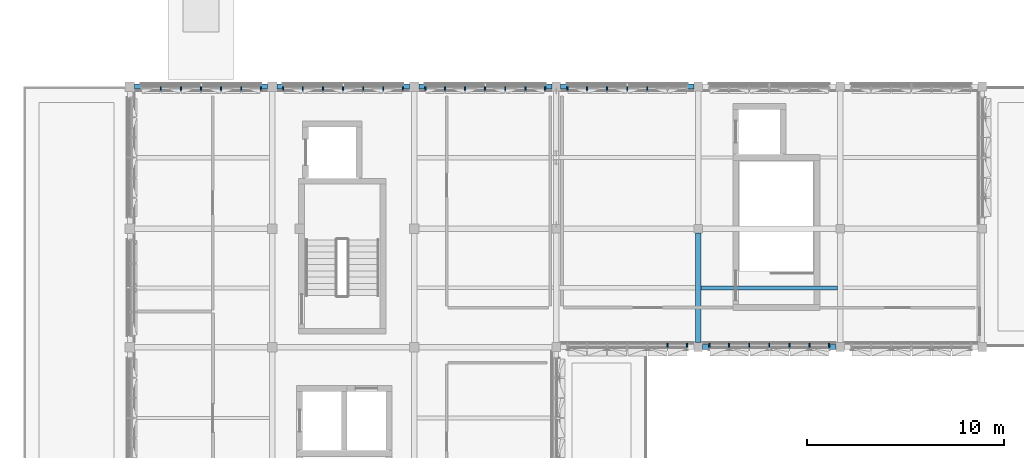
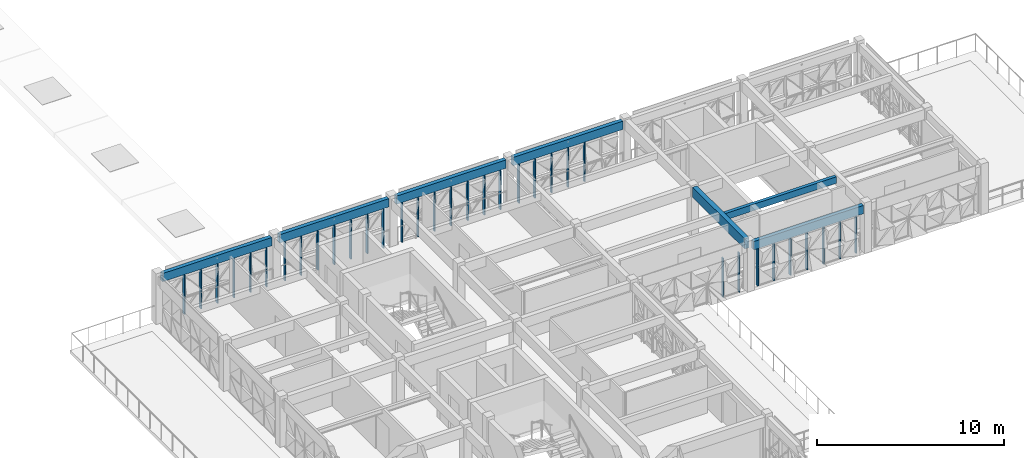
# One storey, part 5 of 35: 34 members, 7 beams, 6 elements without a shape of their own.
"""IFC4 building model written with IfcOpenShell, lengths in metres."""

from ifc_helpers import new_model, si_unit, direction, frame, origin, origin_2d, place, context, subcontext, project, spatial, rectangle, extrude, material, material_profile, profile_set, type_object, element, aggregate, save


model = new_model("IFC4")

# Units and contexts
model_context = context("Model", 3, precision=1e-05, world=origin(), true_north=direction((0.0, 1.0)))
body_context = subcontext(model_context, "Body", "Model", "MODEL_VIEW")
ifc_project = project(units=[si_unit("LENGTHUNIT", "METRE"), si_unit("AREAUNIT", "SQUARE_METRE"), si_unit("VOLUMEUNIT", "CUBIC_METRE"), si_unit("PLANEANGLEUNIT", "RADIAN"), si_unit("MASSUNIT", "GRAM", prefix="KILO")], contexts=[model_context])

# Site, building, storey
site_placement = place(None, origin())
site = spatial("IfcSite", under=ifc_project, at=site_placement, CompositionType="ELEMENT")
building_placement = place(site_placement, origin())
building = spatial("IfcBuilding", under=site, at=building_placement, Name="Alvorim Cloister Faculty of Sciences", CompositionType="ELEMENT")
storey_placement = place(building_placement, frame((0.0, 0.0, 22.949951171875)))
storey = spatial("IfcBuildingStorey", under=building, at=storey_placement, Name="L06", CompositionType="ELEMENT", Elevation=22.949951171875)

# Beams
ifc_material_1 = material(Name="Glulam GL28h", Category="wood")
ifc_material_profile_1 = material_profile(ifc_material_1, rectangle(XDim=0.280029296875, YDim=0.659912109375, at=origin_2d()), Name="GL28-BM-280x660")
ifc_profile_set_1 = profile_set([ifc_material_profile_1], Name="Glulam GL28h")
beam_type_1 = type_object("IfcBeamType", Name="BM-GL-280x660", PredefinedType="BEAM", material=ifc_profile_set_1)
beam_1_placement = place(storey_placement, frame((36.0, 43.419921875, 2.860107421875), z_axis=(0.0, 1.0, 0.0), x_axis=(-1.0, 0.0, 0.0)))
element("IfcBeam", 1, at=beam_1_placement, inside=storey, type_object=beam_type_1, Name="L06 Primary Girder BM-2092", PredefinedType="BEAM", context=body_context, shape_type="SweptSolid", body=[
    extrude(rectangle(XDim=0.280029296875, YDim=0.659912109375, at=origin_2d()), origin(), (0.0, 0.0, 1.0), 5.56005859375),
])
ifc_material_profile_2 = material_profile(ifc_material_1, rectangle(XDim=0.199951171875, YDim=0.419921875, at=origin_2d()), Name="GL28-JST-200x420")
ifc_profile_set_2 = profile_set([ifc_material_profile_2], Name="Glulam GL28h")
beam_type_2 = type_object("IfcBeamType", Name="BM-JST-GL-200x420", PredefinedType="JOIST", material=ifc_profile_set_2)
beam_2_placement = place(storey_placement, frame((36.139892578125, 46.199951171875, 2.880126953125), z_axis=(1.0, 0.0, 0.0), x_axis=(0.0, 1.0, 0.0)))
element("IfcBeam", 2, at=beam_2_placement, inside=storey, type_object=beam_type_2, Name="L06 Secondary Floor Joist BM-2115", PredefinedType="JOIST", context=body_context, shape_type="SweptSolid", body=[
    extrude(rectangle(XDim=0.199951171875, YDim=0.419921875, at=origin_2d()), origin(), (0.0, 0.0, 1.0), 6.920166015625),
])
ifc_material_profile_3 = material_profile(ifc_material_1, rectangle(XDim=0.239990234375, YDim=0.5400390625, at=origin_2d()), Name="GL28-SPD-240x540")
ifc_profile_set_3 = profile_set([ifc_material_profile_3], Name="Glulam GL28h")
beam_type_3 = type_object("IfcBeamType", Name="BM-SPD-GL-240x540", PredefinedType="SPANDREL", material=ifc_profile_set_3)
beam_3_placement = place(storey_placement, frame((36.219970703125, 43.199951171875, 2.820068359375), z_axis=(1.0, 0.0, 0.0), x_axis=(0.0, 1.0, 0.0)))
element("IfcBeam", 3, at=beam_3_placement, inside=storey, type_object=beam_type_3, Name="L06 Primary Beam BM-2051", PredefinedType="SPANDREL", context=body_context, shape_type="SweptSolid", body=[
    extrude(rectangle(XDim=0.239990234375, YDim=0.5400390625, at=origin_2d()), origin(), (0.0, 0.0, 1.0), 6.760009765625),
])
beam_4_placement = place(storey_placement, frame((7.43994140625, 56.39990234375, 2.820068359375), z_axis=(1.0, 0.0, 0.0), x_axis=(0.0, 1.0, 0.0)))
element("IfcBeam", 4, at=beam_4_placement, inside=storey, type_object=beam_type_3, Name="L06 Primary Beam BM-2058", PredefinedType="SPANDREL", context=body_context, shape_type="SweptSolid", body=[
    extrude(rectangle(XDim=0.239990234375, YDim=0.5400390625, at=origin_2d()), origin(), (0.0, 0.0, 1.0), 6.719970703125),
])
beam_5_placement = place(storey_placement, frame((14.639892578125, 56.39990234375, 2.820068359375), z_axis=(1.0, 0.0, 0.0), x_axis=(0.0, 1.0, 0.0)))
element("IfcBeam", 5, at=beam_5_placement, inside=storey, type_object=beam_type_3, Name="L06 Primary Beam BM-2059", PredefinedType="SPANDREL", context=body_context, shape_type="SweptSolid", body=[
    extrude(rectangle(XDim=0.239990234375, YDim=0.5400390625, at=origin_2d()), origin(), (0.0, 0.0, 1.0), 6.72021484375),
])
beam_6_placement = place(storey_placement, frame((21.840087890625, 56.39990234375, 2.820068359375), z_axis=(1.0, 0.0, 0.0), x_axis=(0.0, 1.0, 0.0)))
element("IfcBeam", 6, at=beam_6_placement, inside=storey, type_object=beam_type_3, Name="L06 Primary Beam BM-2060", PredefinedType="SPANDREL", context=body_context, shape_type="SweptSolid", body=[
    extrude(rectangle(XDim=0.239990234375, YDim=0.5400390625, at=origin_2d()), origin(), (0.0, 0.0, 1.0), 6.739990234375),
])
beam_7_placement = place(storey_placement, frame((29.02001953125, 56.39990234375, 2.820068359375), z_axis=(1.0, 0.0, 0.0), x_axis=(0.0, 1.0, 0.0)))
element("IfcBeam", 7, at=beam_7_placement, inside=storey, type_object=beam_type_3, Name="L06 Primary Beam BM-2061", PredefinedType="SPANDREL", context=body_context, shape_type="SweptSolid", body=[
    extrude(rectangle(XDim=0.239990234375, YDim=0.5400390625, at=origin_2d()), origin(), (0.0, 0.0, 1.0), 6.760009765625),
])

# Curtain wall, members
ifc_material_2 = material(Name="Aluminium and Low-E Glass Curtain Wall", Category="aluminium")
curtain_wall_type = type_object("IfcCurtainWallType", Name="CW-TRI-6120x2550", PredefinedType="USERDEFINED", material=ifc_material_2)
curtain_wall_1_placement = place(storey_placement, origin())
curtain_wall_1 = element("IfcCurtainWall", 8, at=curtain_wall_1_placement, inside=storey, type_object=curtain_wall_type, Name="L06 Diagonal Cassette Curtain Wall CW-0245", ObjectType="UNITISED CURTAIN WALL", PredefinedType="USERDEFINED")
ifc_material_3 = material(Name="Aluminium Alloy 6063-T6", Category="aluminium")
ifc_material_profile_4 = material_profile(ifc_material_3, rectangle(XDim=0.06494140625, YDim=0.179931640625, at=origin_2d()), Name="ALU-MUL-65x180")
ifc_profile_set_4 = profile_set([ifc_material_profile_4], Name="Aluminium Alloy 6063-T6")
member_type = type_object("IfcMemberType", Name="CW-MUL-65x180", PredefinedType="MULLION", material=ifc_profile_set_4)
member_1_placement = place(storey_placement, frame((8.760009765625, 56.31005859375, 0.0), z_axis=(0.0, 0.0, 1.0), x_axis=(1.0, 0.0, 0.0)))
member_1 = element("IfcMember", 9, at=member_1_placement, type_object=member_type, Name="CW-0245 Mullion 2", PredefinedType="MULLION", context=body_context, shape_type="SweptSolid", body=[
    extrude(rectangle(XDim=0.06494140625, YDim=0.179931640625, at=origin_2d()), origin(), (0.0, 0.0, 1.0), 2.550048828125),
])
member_2_placement = place(storey_placement, frame((9.780029296875, 56.31005859375, 0.0), z_axis=(0.0, 0.0, 1.0), x_axis=(1.0, 0.0, 0.0)))
member_2 = element("IfcMember", 10, at=member_2_placement, type_object=member_type, Name="CW-0245 Mullion 3", PredefinedType="MULLION", context=body_context, shape_type="SweptSolid", body=[
    extrude(rectangle(XDim=0.06494140625, YDim=0.179931640625, at=origin_2d()), origin(), (0.0, 0.0, 1.0), 2.550048828125),
])
member_3_placement = place(storey_placement, frame((10.800048828125, 56.31005859375, 0.0), z_axis=(0.0, 0.0, 1.0), x_axis=(1.0, 0.0, 0.0)))
member_3 = element("IfcMember", 11, at=member_3_placement, type_object=member_type, Name="CW-0245 Mullion 4", PredefinedType="MULLION", context=body_context, shape_type="SweptSolid", body=[
    extrude(rectangle(XDim=0.06494140625, YDim=0.179931640625, at=origin_2d()), origin(), (0.0, 0.0, 1.0), 2.550048828125),
])
member_4_placement = place(storey_placement, frame((11.820068359375, 56.31005859375, 0.0), z_axis=(0.0, 0.0, 1.0), x_axis=(1.0, 0.0, 0.0)))
member_4 = element("IfcMember", 12, at=member_4_placement, type_object=member_type, Name="CW-0245 Mullion 5", PredefinedType="MULLION", context=body_context, shape_type="SweptSolid", body=[
    extrude(rectangle(XDim=0.06494140625, YDim=0.179931640625, at=origin_2d()), origin(), (0.0, 0.0, 1.0), 2.550048828125),
])
member_5_placement = place(storey_placement, frame((12.840087890625, 56.31005859375, 0.0), z_axis=(0.0, 0.0, 1.0), x_axis=(1.0, 0.0, 0.0)))
member_5 = element("IfcMember", 13, at=member_5_placement, type_object=member_type, Name="CW-0245 Mullion 6", PredefinedType="MULLION", context=body_context, shape_type="SweptSolid", body=[
    extrude(rectangle(XDim=0.06494140625, YDim=0.179931640625, at=origin_2d()), origin(), (0.0, 0.0, 1.0), 2.550048828125),
])
member_6_placement = place(storey_placement, frame((13.827392578125, 56.31005859375, 0.0), z_axis=(0.0, 0.0, 1.0), x_axis=(1.0, 0.0, 0.0)))
member_6 = element("IfcMember", 14, at=member_6_placement, type_object=member_type, Name="CW-0245 Mullion 7", PredefinedType="MULLION", context=body_context, shape_type="SweptSolid", body=[
    extrude(rectangle(XDim=0.06494140625, YDim=0.179931640625, at=origin_2d()), origin(), (0.0, 0.0, 1.0), 2.550048828125),
])
aggregate(curtain_wall_1, [member_1, member_2, member_3, member_4, member_5, member_6])

curtain_wall_2_placement = place(storey_placement, origin())
curtain_wall_2 = element("IfcCurtainWall", 15, at=curtain_wall_2_placement, inside=storey, type_object=curtain_wall_type, Name="L06 Diagonal Cassette Curtain Wall CW-0246", ObjectType="UNITISED CURTAIN WALL", PredefinedType="USERDEFINED")
member_7_placement = place(storey_placement, frame((14.972412109375, 56.31005859375, 0.0), z_axis=(0.0, 0.0, 1.0), x_axis=(1.0, 0.0, 0.0)))
member_7 = element("IfcMember", 16, at=member_7_placement, type_object=member_type, Name="CW-0246 Mullion 1", PredefinedType="MULLION", context=body_context, shape_type="SweptSolid", body=[
    extrude(rectangle(XDim=0.06494140625, YDim=0.179931640625, at=origin_2d()), origin(), (0.0, 0.0, 1.0), 2.550048828125),
])
member_8_placement = place(storey_placement, frame((15.9599609375, 56.31005859375, 0.0), z_axis=(0.0, 0.0, 1.0), x_axis=(1.0, 0.0, 0.0)))
member_8 = element("IfcMember", 17, at=member_8_placement, type_object=member_type, Name="CW-0246 Mullion 2", PredefinedType="MULLION", context=body_context, shape_type="SweptSolid", body=[
    extrude(rectangle(XDim=0.06494140625, YDim=0.179931640625, at=origin_2d()), origin(), (0.0, 0.0, 1.0), 2.550048828125),
])
member_9_placement = place(storey_placement, frame((16.97998046875, 56.31005859375, 0.0), z_axis=(0.0, 0.0, 1.0), x_axis=(1.0, 0.0, 0.0)))
member_9 = element("IfcMember", 18, at=member_9_placement, type_object=member_type, Name="CW-0246 Mullion 3", PredefinedType="MULLION", context=body_context, shape_type="SweptSolid", body=[
    extrude(rectangle(XDim=0.06494140625, YDim=0.179931640625, at=origin_2d()), origin(), (0.0, 0.0, 1.0), 2.550048828125),
])
member_10_placement = place(storey_placement, frame((18.0, 56.31005859375, 0.0), z_axis=(0.0, 0.0, 1.0), x_axis=(1.0, 0.0, 0.0)))
member_10 = element("IfcMember", 19, at=member_10_placement, type_object=member_type, Name="CW-0246 Mullion 4", PredefinedType="MULLION", context=body_context, shape_type="SweptSolid", body=[
    extrude(rectangle(XDim=0.06494140625, YDim=0.179931640625, at=origin_2d()), origin(), (0.0, 0.0, 1.0), 2.550048828125),
])
member_11_placement = place(storey_placement, frame((19.02001953125, 56.31005859375, 0.0), z_axis=(0.0, 0.0, 1.0), x_axis=(1.0, 0.0, 0.0)))
member_11 = element("IfcMember", 20, at=member_11_placement, type_object=member_type, Name="CW-0246 Mullion 5", PredefinedType="MULLION", context=body_context, shape_type="SweptSolid", body=[
    extrude(rectangle(XDim=0.06494140625, YDim=0.179931640625, at=origin_2d()), origin(), (0.0, 0.0, 1.0), 2.550048828125),
])
member_12_placement = place(storey_placement, frame((20.0400390625, 56.31005859375, 0.0), z_axis=(0.0, 0.0, 1.0), x_axis=(1.0, 0.0, 0.0)))
member_12 = element("IfcMember", 21, at=member_12_placement, type_object=member_type, Name="CW-0246 Mullion 6", PredefinedType="MULLION", context=body_context, shape_type="SweptSolid", body=[
    extrude(rectangle(XDim=0.06494140625, YDim=0.179931640625, at=origin_2d()), origin(), (0.0, 0.0, 1.0), 2.550048828125),
])
member_13_placement = place(storey_placement, frame((21.027587890625, 56.31005859375, 0.0), z_axis=(0.0, 0.0, 1.0), x_axis=(1.0, 0.0, 0.0)))
member_13 = element("IfcMember", 22, at=member_13_placement, type_object=member_type, Name="CW-0246 Mullion 7", PredefinedType="MULLION", context=body_context, shape_type="SweptSolid", body=[
    extrude(rectangle(XDim=0.06494140625, YDim=0.179931640625, at=origin_2d()), origin(), (0.0, 0.0, 1.0), 2.550048828125),
])
aggregate(curtain_wall_2, [member_7, member_8, member_9, member_10, member_11, member_12, member_13])

curtain_wall_3_placement = place(storey_placement, origin())
curtain_wall_3 = element("IfcCurtainWall", 23, at=curtain_wall_3_placement, inside=storey, type_object=curtain_wall_type, Name="L06 Diagonal Cassette Curtain Wall CW-0247", ObjectType="UNITISED CURTAIN WALL", PredefinedType="USERDEFINED")
member_14_placement = place(storey_placement, frame((22.172607421875, 56.31005859375, 0.0), z_axis=(0.0, 0.0, 1.0), x_axis=(1.0, 0.0, 0.0)))
member_14 = element("IfcMember", 24, at=member_14_placement, type_object=member_type, Name="CW-0247 Mullion 1", PredefinedType="MULLION", context=body_context, shape_type="SweptSolid", body=[
    extrude(rectangle(XDim=0.06494140625, YDim=0.179931640625, at=origin_2d()), origin(), (0.0, 0.0, 1.0), 2.550048828125),
])
member_15_placement = place(storey_placement, frame((23.159912109375, 56.31005859375, 0.0), z_axis=(0.0, 0.0, 1.0), x_axis=(1.0, 0.0, 0.0)))
member_15 = element("IfcMember", 25, at=member_15_placement, type_object=member_type, Name="CW-0247 Mullion 2", PredefinedType="MULLION", context=body_context, shape_type="SweptSolid", body=[
    extrude(rectangle(XDim=0.06494140625, YDim=0.179931640625, at=origin_2d()), origin(), (0.0, 0.0, 1.0), 2.550048828125),
])
member_16_placement = place(storey_placement, frame((24.179931640625, 56.31005859375, 0.0), z_axis=(0.0, 0.0, 1.0), x_axis=(1.0, 0.0, 0.0)))
member_16 = element("IfcMember", 26, at=member_16_placement, type_object=member_type, Name="CW-0247 Mullion 3", PredefinedType="MULLION", context=body_context, shape_type="SweptSolid", body=[
    extrude(rectangle(XDim=0.06494140625, YDim=0.179931640625, at=origin_2d()), origin(), (0.0, 0.0, 1.0), 2.550048828125),
])
member_17_placement = place(storey_placement, frame((25.199951171875, 56.31005859375, 0.0), z_axis=(0.0, 0.0, 1.0), x_axis=(1.0, 0.0, 0.0)))
member_17 = element("IfcMember", 27, at=member_17_placement, type_object=member_type, Name="CW-0247 Mullion 4", PredefinedType="MULLION", context=body_context, shape_type="SweptSolid", body=[
    extrude(rectangle(XDim=0.06494140625, YDim=0.179931640625, at=origin_2d()), origin(), (0.0, 0.0, 1.0), 2.550048828125),
])
member_18_placement = place(storey_placement, frame((26.219970703125, 56.31005859375, 0.0), z_axis=(0.0, 0.0, 1.0), x_axis=(1.0, 0.0, 0.0)))
member_18 = element("IfcMember", 28, at=member_18_placement, type_object=member_type, Name="CW-0247 Mullion 5", PredefinedType="MULLION", context=body_context, shape_type="SweptSolid", body=[
    extrude(rectangle(XDim=0.06494140625, YDim=0.179931640625, at=origin_2d()), origin(), (0.0, 0.0, 1.0), 2.550048828125),
])
member_19_placement = place(storey_placement, frame((27.239990234375, 56.31005859375, 0.0), z_axis=(0.0, 0.0, 1.0), x_axis=(1.0, 0.0, 0.0)))
member_19 = element("IfcMember", 29, at=member_19_placement, type_object=member_type, Name="CW-0247 Mullion 6", PredefinedType="MULLION", context=body_context, shape_type="SweptSolid", body=[
    extrude(rectangle(XDim=0.06494140625, YDim=0.179931640625, at=origin_2d()), origin(), (0.0, 0.0, 1.0), 2.550048828125),
])
member_20_placement = place(storey_placement, frame((28.2275390625, 56.31005859375, 0.0), z_axis=(0.0, 0.0, 1.0), x_axis=(1.0, 0.0, 0.0)))
member_20 = element("IfcMember", 30, at=member_20_placement, type_object=member_type, Name="CW-0247 Mullion 7", PredefinedType="MULLION", context=body_context, shape_type="SweptSolid", body=[
    extrude(rectangle(XDim=0.06494140625, YDim=0.179931640625, at=origin_2d()), origin(), (0.0, 0.0, 1.0), 2.550048828125),
])
aggregate(curtain_wall_3, [member_14, member_15, member_16, member_17, member_18, member_19, member_20])

curtain_wall_4_placement = place(storey_placement, origin())
curtain_wall_4 = element("IfcCurtainWall", 31, at=curtain_wall_4_placement, inside=storey, type_object=curtain_wall_type, Name="L06 Diagonal Cassette Curtain Wall CW-0248", ObjectType="UNITISED CURTAIN WALL", PredefinedType="USERDEFINED")
member_21_placement = place(storey_placement, frame((29.37255859375, 56.31005859375, 0.0), z_axis=(0.0, 0.0, 1.0), x_axis=(1.0, 0.0, 0.0)))
member_21 = element("IfcMember", 32, at=member_21_placement, type_object=member_type, Name="CW-0248 Mullion 1", PredefinedType="MULLION", context=body_context, shape_type="SweptSolid", body=[
    extrude(rectangle(XDim=0.06494140625, YDim=0.179931640625, at=origin_2d()), origin(), (0.0, 0.0, 1.0), 2.550048828125),
])
member_22_placement = place(storey_placement, frame((30.360107421875, 56.31005859375, 0.0), z_axis=(0.0, 0.0, 1.0), x_axis=(1.0, 0.0, 0.0)))
member_22 = element("IfcMember", 33, at=member_22_placement, type_object=member_type, Name="CW-0248 Mullion 2", PredefinedType="MULLION", context=body_context, shape_type="SweptSolid", body=[
    extrude(rectangle(XDim=0.06494140625, YDim=0.179931640625, at=origin_2d()), origin(), (0.0, 0.0, 1.0), 2.550048828125),
])
member_23_placement = place(storey_placement, frame((31.3798828125, 56.31005859375, 0.0), z_axis=(0.0, 0.0, 1.0), x_axis=(1.0, 0.0, 0.0)))
member_23 = element("IfcMember", 34, at=member_23_placement, type_object=member_type, Name="CW-0248 Mullion 3", PredefinedType="MULLION", context=body_context, shape_type="SweptSolid", body=[
    extrude(rectangle(XDim=0.06494140625, YDim=0.179931640625, at=origin_2d()), origin(), (0.0, 0.0, 1.0), 2.550048828125),
])
member_24_placement = place(storey_placement, frame((32.39990234375, 56.31005859375, 0.0), z_axis=(0.0, 0.0, 1.0), x_axis=(1.0, 0.0, 0.0)))
member_24 = element("IfcMember", 35, at=member_24_placement, type_object=member_type, Name="CW-0248 Mullion 4", PredefinedType="MULLION", context=body_context, shape_type="SweptSolid", body=[
    extrude(rectangle(XDim=0.06494140625, YDim=0.179931640625, at=origin_2d()), origin(), (0.0, 0.0, 1.0), 2.550048828125),
])
member_25_placement = place(storey_placement, frame((33.419921875, 56.31005859375, 0.0), z_axis=(0.0, 0.0, 1.0), x_axis=(1.0, 0.0, 0.0)))
member_25 = element("IfcMember", 36, at=member_25_placement, type_object=member_type, Name="CW-0248 Mullion 5", PredefinedType="MULLION", context=body_context, shape_type="SweptSolid", body=[
    extrude(rectangle(XDim=0.06494140625, YDim=0.179931640625, at=origin_2d()), origin(), (0.0, 0.0, 1.0), 2.550048828125),
])
aggregate(curtain_wall_4, [member_21, member_22, member_23, member_24, member_25])

curtain_wall_5_placement = place(storey_placement, origin())
curtain_wall_5 = element("IfcCurtainWall", 37, at=curtain_wall_5_placement, inside=storey, type_object=curtain_wall_type, Name="L06 Diagonal Cassette Curtain Wall CW-0253", ObjectType="UNITISED CURTAIN WALL", PredefinedType="USERDEFINED")
member_26_placement = place(storey_placement, frame((36.572509765625, 43.2900390625, 0.0), z_axis=(0.0, 0.0, 1.0), x_axis=(1.0, 0.0, 0.0)))
member_26 = element("IfcMember", 38, at=member_26_placement, type_object=member_type, Name="CW-0253 Mullion 1", PredefinedType="MULLION", context=body_context, shape_type="SweptSolid", body=[
    extrude(rectangle(XDim=0.06494140625, YDim=0.179931640625, at=origin_2d()), origin(), (0.0, 0.0, 1.0), 2.550048828125),
])
member_27_placement = place(storey_placement, frame((37.56005859375, 43.2900390625, 0.0), z_axis=(0.0, 0.0, 1.0), x_axis=(1.0, 0.0, 0.0)))
member_27 = element("IfcMember", 39, at=member_27_placement, type_object=member_type, Name="CW-0253 Mullion 2", PredefinedType="MULLION", context=body_context, shape_type="SweptSolid", body=[
    extrude(rectangle(XDim=0.06494140625, YDim=0.179931640625, at=origin_2d()), origin(), (0.0, 0.0, 1.0), 2.550048828125),
])
member_28_placement = place(storey_placement, frame((38.580078125, 43.2900390625, 0.0), z_axis=(0.0, 0.0, 1.0), x_axis=(1.0, 0.0, 0.0)))
member_28 = element("IfcMember", 40, at=member_28_placement, type_object=member_type, Name="CW-0253 Mullion 3", PredefinedType="MULLION", context=body_context, shape_type="SweptSolid", body=[
    extrude(rectangle(XDim=0.06494140625, YDim=0.179931640625, at=origin_2d()), origin(), (0.0, 0.0, 1.0), 2.550048828125),
])
member_29_placement = place(storey_placement, frame((39.60009765625, 43.2900390625, 0.0), z_axis=(0.0, 0.0, 1.0), x_axis=(1.0, 0.0, 0.0)))
member_29 = element("IfcMember", 41, at=member_29_placement, type_object=member_type, Name="CW-0253 Mullion 4", PredefinedType="MULLION", context=body_context, shape_type="SweptSolid", body=[
    extrude(rectangle(XDim=0.06494140625, YDim=0.179931640625, at=origin_2d()), origin(), (0.0, 0.0, 1.0), 2.550048828125),
])
member_30_placement = place(storey_placement, frame((40.6201171875, 43.2900390625, 0.0), z_axis=(0.0, 0.0, 1.0), x_axis=(1.0, 0.0, 0.0)))
member_30 = element("IfcMember", 42, at=member_30_placement, type_object=member_type, Name="CW-0253 Mullion 5", PredefinedType="MULLION", context=body_context, shape_type="SweptSolid", body=[
    extrude(rectangle(XDim=0.06494140625, YDim=0.179931640625, at=origin_2d()), origin(), (0.0, 0.0, 1.0), 2.550048828125),
])
member_31_placement = place(storey_placement, frame((41.639892578125, 43.2900390625, 0.0), z_axis=(0.0, 0.0, 1.0), x_axis=(1.0, 0.0, 0.0)))
member_31 = element("IfcMember", 43, at=member_31_placement, type_object=member_type, Name="CW-0253 Mullion 6", PredefinedType="MULLION", context=body_context, shape_type="SweptSolid", body=[
    extrude(rectangle(XDim=0.06494140625, YDim=0.179931640625, at=origin_2d()), origin(), (0.0, 0.0, 1.0), 2.550048828125),
])
member_32_placement = place(storey_placement, frame((42.62744140625, 43.2900390625, 0.0), z_axis=(0.0, 0.0, 1.0), x_axis=(1.0, 0.0, 0.0)))
member_32 = element("IfcMember", 44, at=member_32_placement, type_object=member_type, Name="CW-0253 Mullion 7", PredefinedType="MULLION", context=body_context, shape_type="SweptSolid", body=[
    extrude(rectangle(XDim=0.06494140625, YDim=0.179931640625, at=origin_2d()), origin(), (0.0, 0.0, 1.0), 2.550048828125),
])
aggregate(curtain_wall_5, [member_26, member_27, member_28, member_29, member_30, member_31, member_32])

curtain_wall_6_placement = place(storey_placement, origin())
curtain_wall_6 = element("IfcCurtainWall", 45, at=curtain_wall_6_placement, inside=storey, type_object=curtain_wall_type, Name="L06 Diagonal Cassette Curtain Wall CW-0254", ObjectType="UNITISED CURTAIN WALL", PredefinedType="USERDEFINED")
member_33_placement = place(storey_placement, frame((34.43994140625, 43.2900390625, 0.0), z_axis=(0.0, 0.0, 1.0), x_axis=(1.0, 0.0, 0.0)))
member_33 = element("IfcMember", 46, at=member_33_placement, type_object=member_type, Name="CW-0254 Mullion 6", PredefinedType="MULLION", context=body_context, shape_type="SweptSolid", body=[
    extrude(rectangle(XDim=0.06494140625, YDim=0.179931640625, at=origin_2d()), origin(), (0.0, 0.0, 1.0), 2.550048828125),
])
member_34_placement = place(storey_placement, frame((35.427490234375, 43.2900390625, 0.0), z_axis=(0.0, 0.0, 1.0), x_axis=(1.0, 0.0, 0.0)))
member_34 = element("IfcMember", 47, at=member_34_placement, type_object=member_type, Name="CW-0254 Mullion 7", PredefinedType="MULLION", context=body_context, shape_type="SweptSolid", body=[
    extrude(rectangle(XDim=0.06494140625, YDim=0.179931640625, at=origin_2d()), origin(), (0.0, 0.0, 1.0), 2.550048828125),
])
aggregate(curtain_wall_6, [member_33, member_34])

save(model, "model.ifc")
